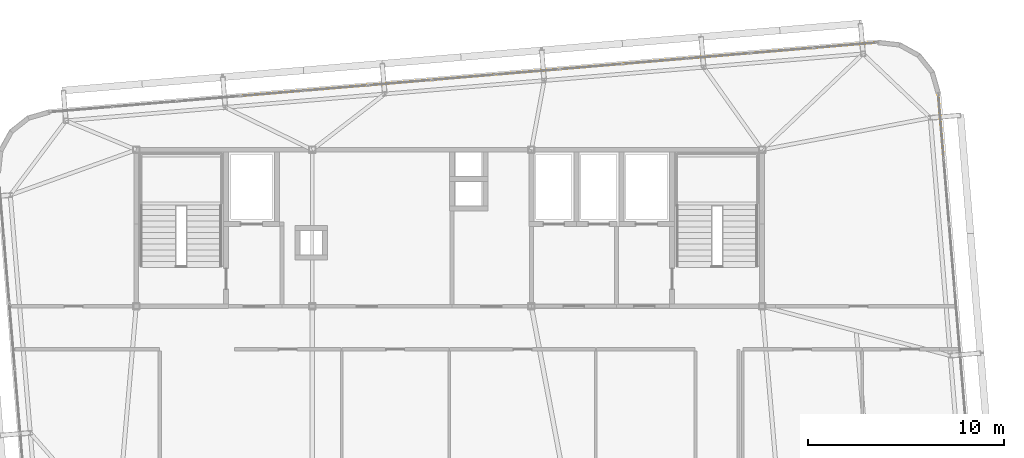
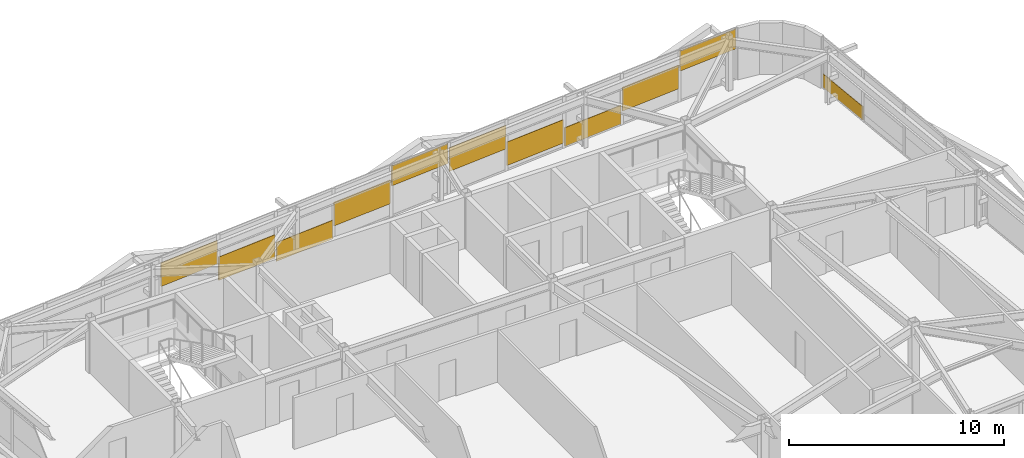
# One storey, part 46 of 46: 11 coverings.
"""IFC4 building model written with IfcOpenShell, lengths in metres."""

from ifc_helpers import new_model, si_unit, direction, frame, origin, origin_2d, place, context, subcontext, project, spatial, rectangle, extrude, source, transform, mapped, material, layer, layer_set, type_object, element, save


model = new_model("IFC4")

# Units and contexts
model_context = context("Model", 3, precision=1e-05, world=origin(), true_north=direction((0.0, 1.0)))
body_context = subcontext(model_context, "Body", "Model", "MODEL_VIEW")
ifc_project = project(units=[si_unit("LENGTHUNIT", "METRE"), si_unit("AREAUNIT", "SQUARE_METRE"), si_unit("VOLUMEUNIT", "CUBIC_METRE"), si_unit("PLANEANGLEUNIT", "RADIAN"), si_unit("MASSUNIT", "GRAM", prefix="KILO")], contexts=[model_context])

# Site, building, storey
site_placement = place(None, origin())
site = spatial("IfcSite", under=ifc_project, at=site_placement, CompositionType="ELEMENT")
building_placement = place(site_placement, origin())
building = spatial("IfcBuilding", under=site, at=building_placement, Name="Taldren Reach Tower", CompositionType="ELEMENT")
storey_placement = place(building_placement, frame((0.0, 0.0, 185.14990234375)))
storey = spatial("IfcBuildingStorey", under=building, at=storey_placement, Name="L56", CompositionType="ELEMENT", Elevation=185.14990234375)

# Coverings
ifc_material = material(Name="Pale Champagne Fluoropolymer Aluminium Spandrel Cladding", Category="aluminium")
ifc_layer = layer(ifc_material, 0.0439453125)
ifc_layer_set = layer_set([ifc_layer], Name="Pale Champagne Fluoropolymer Aluminium Spandrel Cladding")
covering_type = type_object("IfcCoveringType", Name="CV-CLAD-044", PredefinedType="CLADDING", material=ifc_layer_set)
shared_shape_1 = source(origin(), body_context, "Body", "SweptSolid", [
    extrude(rectangle(XDim=3.19921875, YDim=0.0439453125, at=origin_2d()), origin(), (0.0, 0.0, 1.0), 1.3359375),
])
for number, where, z_axis, x_axis, name in (
    (1, (52.0283203125, 37.07080078125, 0.762939453125), (0.0, 0.0, 1.0), (-0.99649285657, -0.083677875247, 0.0), "Diagrid closure cladding strip CW-5 panel 2.1 1"),
    (2, (45.5126953125, 36.523681640625, 0.28369140625), (0.0, 0.0, 1.0), (-0.99649285657, -0.083677875247, 0.0), "Diagrid closure cladding strip CW-5 panel 4.1 1"),
    (3, (42.2548828125, 36.25, 1.2548828125), (0.0, 0.0, 1.0), (-0.99649285657, -0.083677875247, 0.0), "Diagrid closure cladding strip CW-5 panel 5.1 1"),
    (4, (35.739501953125, 35.702880859375, 0.76708984375), (0.0, 0.0, 1.0), (-0.99649285657, -0.083677875247, 0.0), "Diagrid closure cladding strip CW-5 panel 7.1 1"),
    (5, (29.223876953125, 35.15576171875, 0.279541015625), (0.0, 0.0, 1.0), (-0.99649285657, -0.083677875247, 0.0), "Diagrid closure cladding strip CW-5 panel 9.1 1"),
    (6, (25.966064453125, 34.88232421875, 1.250732421875), (0.0, 0.0, 1.0), (-0.99649285657, -0.083677875247, 0.0), "Diagrid closure cladding strip CW-5 panel 10.1 1"),
):
    element("IfcCovering", number, at=place(storey_placement, frame(where, z_axis=z_axis, x_axis=x_axis)), inside=storey, type_object=covering_type, Name=name, PredefinedType="CLADDING", context=body_context, shape_type="MappedRepresentation", body=[
        mapped(shared_shape_1, transform((0.0, 0.0, 0.0), scale=1.0)),
    ])
shared_shape_2 = source(origin(), body_context, "Body", "SweptSolid", [
    extrude(rectangle(XDim=3.19921875, YDim=0.0439453125, at=origin_2d()), origin(), (0.0, 0.0, 1.0), 1.07177734375),
])
covering_1_placement = place(storey_placement, frame((32.481689453125, 35.429443359375, 0.06005859375), z_axis=(0.0, 0.0, 1.0), x_axis=(-0.99649285657, -0.083677875247, 0.0)))
element("IfcCovering", 7, at=covering_1_placement, inside=storey, type_object=covering_type, Name="Diagrid closure cladding strip CW-5 panel 8.1 1", PredefinedType="CLADDING", context=body_context, shape_type="MappedRepresentation", body=[
    mapped(shared_shape_2, transform((0.0, 0.0, 0.0), scale=1.0)),
])
shared_shape_3 = source(origin(), body_context, "Body", "SweptSolid", [
    extrude(rectangle(XDim=3.19921875, YDim=0.0439453125, at=origin_2d()), origin(), (0.0, 0.0, 1.0), 1.1318359375),
])
covering_2_placement = place(storey_placement, frame((38.9970703125, 35.9765625, 1.73828125), z_axis=(0.0, 0.0, 1.0), x_axis=(-0.99649285657, -0.083677875247, 0.0)))
element("IfcCovering", 8, at=covering_2_placement, inside=storey, type_object=covering_type, Name="Diagrid closure cladding strip CW-5 panel 6.1 1", PredefinedType="CLADDING", context=body_context, shape_type="MappedRepresentation", body=[
    mapped(shared_shape_3, transform((0.0, 0.0, 0.0), scale=1.0)),
])
shared_shape_4 = source(origin(), body_context, "Body", "SweptSolid", [
    extrude(rectangle(XDim=3.19921875, YDim=0.0439453125, at=origin_2d()), origin(), (0.0, 0.0, 1.0), 1.067626953125),
])
covering_3_placement = place(storey_placement, frame((48.7705078125, 36.797119140625, 0.06005859375), z_axis=(0.0, 0.0, 1.0), x_axis=(-0.99649285657, -0.083677875247, 0.0)))
element("IfcCovering", 9, at=covering_3_placement, inside=storey, type_object=covering_type, Name="Diagrid closure cladding strip CW-5 panel 3.1 1", PredefinedType="CLADDING", context=body_context, shape_type="MappedRepresentation", body=[
    mapped(shared_shape_4, transform((0.0, 0.0, 0.0), scale=1.0)),
])
shared_shape_5 = source(origin(), body_context, "Body", "SweptSolid", [
    extrude(rectangle(XDim=3.164306640625, YDim=0.0439453125, at=origin_2d()), origin(), (0.0, 0.0, 1.0), 1.135986328125),
])
covering_4_placement = place(storey_placement, frame((55.2685546875, 37.3427734375, 1.734375), z_axis=(0.0, 0.0, 1.0), x_axis=(-0.99649285657, -0.083677875247, 0.0)))
element("IfcCovering", 10, at=covering_4_placement, inside=storey, type_object=covering_type, Name="Diagrid closure cladding strip CW-5 panel 1.1 1", PredefinedType="CLADDING", context=body_context, shape_type="MappedRepresentation", body=[
    mapped(shared_shape_5, transform((0.0, 0.0, 0.0), scale=1.0)),
])
shared_shape_6 = source(origin(), body_context, "Body", "SweptSolid", [
    extrude(rectangle(XDim=3.2451171875, YDim=0.0439453125, at=origin_2d()), origin(), (0.0, 0.0, 1.0), 0.769775390625),
])
covering_5_placement = place(storey_placement, frame((60.145751953125, 33.183837890625, 0.06005859375), z_axis=(0.0, 0.0, 1.0), x_axis=(-0.083677979808, 0.996492847789, 0.0)))
element("IfcCovering", 11, at=covering_5_placement, inside=storey, type_object=covering_type, Name="Diagrid closure cladding strip CW-5 panel 8.1 1", PredefinedType="CLADDING", context=body_context, shape_type="MappedRepresentation", body=[
    mapped(shared_shape_6, transform((0.0, 0.0, 0.0), scale=1.0)),
])

save(model, "model.ifc")
